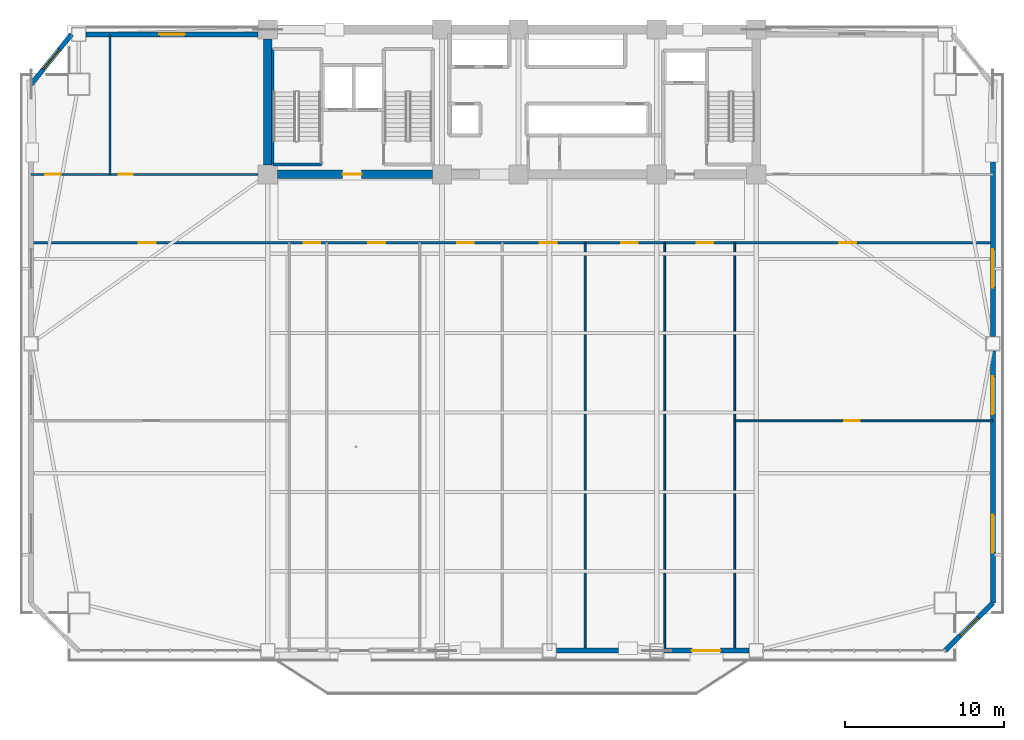
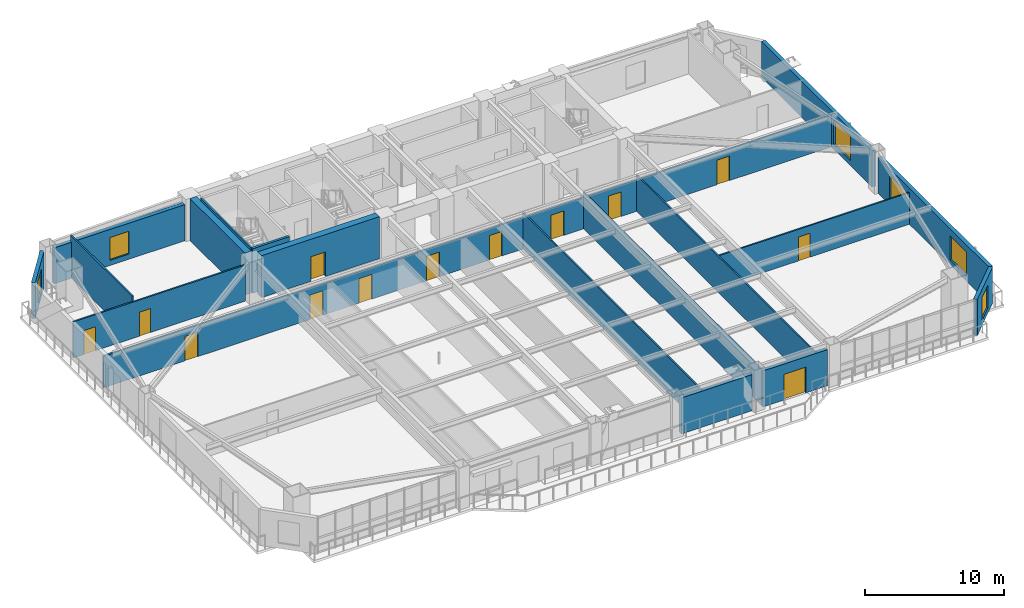
# One storey, part 8 of 15: 18 walls, 13 doors, 6 windows, 19 openings.
"""IFC4 building model written with IfcOpenShell, lengths in metres."""

import ifcopenshell
import ifcopenshell.guid

model = None  # the IFC model being written
_history = None  # IfcOwnerHistory: only IFC2X3 demands one
_inside = {}  # id of a spatial element -> (the spatial element, [elements in it])
_under = {}  # id of a project, library or spatial element -> (it, [spatial elements below it])
_declared = {}  # id of a project -> (the project, [libraries it declares])
_typed = {}  # id of a type object -> (the type object, [elements of that type])
_made_of = {}  # id of a material, layer set ... -> (it, [elements and type objects made of it])


def new_model(schema):
    """Start an empty IFC model of exactly this schema.

    Asked for "IFC4X3", IfcOpenShell would pick the latest addendum, in which some entities
    have other attributes; the version numbers below select the first issue.
    IFC2X3 requires an IfcOwnerHistory on every rooted entity: one is made here for all.
    """
    global model, _history
    if schema == "IFC4X3":
        model = ifcopenshell.file(schema_version=(4, 3, 0, 0))
    else:
        model = ifcopenshell.file(schema=schema)
    _inside.clear()
    _under.clear()
    _declared.clear()
    _typed.clear()
    _made_of.clear()
    _history = None
    if model.schema == "IFC2X3":
        org = make("IfcOrganization", Name="unknown")
        user = make(
            "IfcPersonAndOrganization",
            ThePerson=make("IfcPerson", FamilyName="unknown"),
            TheOrganization=org,
        )
        app = make(
            "IfcApplication",
            ApplicationDeveloper=org,
            Version="unknown",
            ApplicationFullName="unknown",
            ApplicationIdentifier="unknown",
        )
        _history = make(
            "IfcOwnerHistory",
            OwningUser=user,
            OwningApplication=app,
            ChangeAction="ADDED",
            CreationDate=0,
        )
    return model


def make(cls, **values):
    """One entity of the class cls with the attributes given. An attribute that is None is left unset."""
    return model.create_entity(
        cls, **{name: value for name, value in values.items() if value is not None}
    )


def rooted(cls, **values):
    """An entity with a GlobalId (a new one), such as an element, a storey or a relation."""
    return make(cls, GlobalId=ifcopenshell.guid.new(), OwnerHistory=_history, **values)


def si_unit(unit_type, name, prefix=None):
    """IfcSIUnit, for example si_unit("LENGTHUNIT", "METRE", prefix="MILLI")."""
    return make("IfcSIUnit", UnitType=unit_type, Prefix=prefix, Name=name)


def assignment(units):
    """IfcUnitAssignment: the units of a project."""
    return None if units is None else make("IfcUnitAssignment", Units=units)


def point(xyz):
    """IfcCartesianPoint."""
    return None if xyz is None else make("IfcCartesianPoint", Coordinates=xyz)


def direction(xyz):
    """IfcDirection."""
    return None if xyz is None else make("IfcDirection", DirectionRatios=xyz)


def frame(location, z_axis=None, x_axis=None):
    """IfcAxis2Placement3D, a coordinate frame: its origin and axes. An axis left out is left unset."""
    return make(
        "IfcAxis2Placement3D",
        Location=point(location),
        Axis=direction(z_axis),
        RefDirection=direction(x_axis),
    )


def frame_2d(location, x_axis=None):
    """IfcAxis2Placement2D, a coordinate frame in the plane: its origin and x axis."""
    return make(
        "IfcAxis2Placement2D", Location=point(location), RefDirection=direction(x_axis)
    )


def origin():
    """The frame at (0, 0, 0) with its axes left unset."""
    return frame((0.0, 0.0, 0.0))


def place(relative_to, where):
    """IfcLocalPlacement: puts the frame where relative to a parent placement (None: the world)."""
    return make(
        "IfcLocalPlacement", PlacementRelTo=relative_to, RelativePlacement=where
    )


def context(
    kind, dimensions, precision=None, world=None, true_north=None, identifier=None
):
    """IfcGeometricRepresentationContext, for example the 3D "Model" context."""
    return make(
        "IfcGeometricRepresentationContext",
        ContextIdentifier=identifier,
        ContextType=kind,
        CoordinateSpaceDimension=dimensions,
        Precision=precision,
        WorldCoordinateSystem=world,
        TrueNorth=true_north,
    )


def subcontext(parent, identifier, kind, view, scale=None):
    """IfcGeometricRepresentationSubContext, for example "Body" below "Model"."""
    return make(
        "IfcGeometricRepresentationSubContext",
        ContextIdentifier=identifier,
        ContextType=kind,
        ParentContext=parent,
        TargetScale=scale,
        TargetView=view,
    )


def project(units=None, contexts=None):
    """IfcProject with its units and contexts."""
    return rooted(
        "IfcProject",
        Name="project",
        RepresentationContexts=contexts,
        UnitsInContext=assignment(units),
    )


def spatial(cls, under=None, at=None, **own):
    """A site, building, storey or space (cls), placed at a placement, below another one or the project."""
    s = rooted(cls, ObjectPlacement=at, **own)
    if under is not None:
        _under.setdefault(under.id(), (under, []))[1].append(s)
    return s


def profile(cls, at=None, kind="AREA", **sizes):
    """A parametric profile (cls). Its sizes go by their IFC names, for example OverallWidth=200.0."""
    return make(cls, ProfileType=kind, Position=at, **sizes)


def rectangle(**sizes):
    """IfcRectangleProfileDef."""
    return profile("IfcRectangleProfileDef", **sizes)


def extrude(swept, where, along, depth):
    """IfcExtrudedAreaSolid: the profile swept, set in the frame where, extruded along a direction by depth."""
    return make(
        "IfcExtrudedAreaSolid",
        SweptArea=swept,
        Position=where,
        ExtrudedDirection=direction(along),
        Depth=depth,
    )


def shape(context_of_items, identifier, shape_type, items):
    """IfcShapeRepresentation: the items that make up one representation, for example the "Body"."""
    return make(
        "IfcShapeRepresentation",
        ContextOfItems=context_of_items,
        RepresentationIdentifier=identifier,
        RepresentationType=shape_type,
        Items=items,
    )


def source(mapping_origin, context_of_items, identifier, shape_type, items):
    """IfcRepresentationMap: a shape defined once, which mapped items show again and again."""
    return make(
        "IfcRepresentationMap",
        MappingOrigin=mapping_origin,
        MappedRepresentation=shape(context_of_items, identifier, shape_type, items),
    )


def transform(
    local_origin,
    x_axis=None,
    y_axis=None,
    z_axis=None,
    scale=None,
    scale2=None,
    scale3=None,
    uniform=True,
):
    """IfcCartesianTransformationOperator3D, or its non-uniform kind. x_axis, y_axis, z_axis: its Axis1, 2, 3."""
    if uniform:
        return make(
            "IfcCartesianTransformationOperator3D",
            Axis1=direction(x_axis),
            Axis2=direction(y_axis),
            LocalOrigin=point(local_origin),
            Scale=scale,
            Axis3=direction(z_axis),
        )
    return make(
        "IfcCartesianTransformationOperator3DnonUniform",
        Axis1=direction(x_axis),
        Axis2=direction(y_axis),
        LocalOrigin=point(local_origin),
        Scale=scale,
        Axis3=direction(z_axis),
        Scale2=scale2,
        Scale3=scale3,
    )


def mapped(mapping_source, mapping_target):
    """IfcMappedItem: shows the shape of a source again, moved by a transform."""
    return make(
        "IfcMappedItem", MappingSource=mapping_source, MappingTarget=mapping_target
    )


def material(Name=None, Category=None):
    """IfcMaterial."""
    return make("IfcMaterial", Name=Name, Category=Category)


def layer(
    of_material, thickness, ventilated=None, Name=None, Category=None, Priority=None
):
    """IfcMaterialLayer: one layer of a wall or slab, of a material (None: an air gap)."""
    return make(
        "IfcMaterialLayer",
        Material=of_material,
        LayerThickness=thickness,
        IsVentilated=ventilated,
        Name=Name,
        Category=Category,
        Priority=Priority,
    )


def layer_set(layers, Name=None):
    """IfcMaterialLayerSet."""
    return make("IfcMaterialLayerSet", MaterialLayers=layers, LayerSetName=Name)


def made_of(thing, what):
    """Note that an element or type object is made of a material, layer set ...; save() writes the relation."""
    if what is not None:
        _made_of.setdefault(what.id(), (what, []))[1].append(thing)
    return thing


def type_object(cls, material=None, **own):
    """A type object (cls), such as IfcWallType, which elements share."""
    return made_of(rooted(cls, **own), material)


def element(
    cls,
    number,
    at=None,
    inside=None,
    cuts=None,
    type_object=None,
    material=None,
    context=None,
    identifier="Body",
    shape_type=None,
    held_by="IfcProductDefinitionShape",
    body=None,
    shapes=None,
    **own,
):
    """One element of the class cls, such as IfcWall. Its Tag is "e" and its number.

    at: its placement. inside: the storey or other place that contains it. cuts: it is an
    opening in that element (IfcRelVoidsElement). A single representation is given by context,
    identifier, shape_type and body (its items); several are given by shapes. held_by: the class
    of the entity that holds the representations. save() writes the other relations.
    """
    e = rooted(cls, Tag="e%d" % number, ObjectPlacement=at, **own)
    if body is not None:
        shapes = [shape(context, identifier, shape_type, body)]
    if shapes is not None:
        e.Representation = make(held_by, Representations=shapes)
    if inside is not None:
        _inside.setdefault(inside.id(), (inside, []))[1].append(e)
    if cuts is not None:
        rooted(
            "IfcRelVoidsElement", RelatingBuildingElement=cuts, RelatedOpeningElement=e
        )
    if type_object is not None:
        _typed.setdefault(type_object.id(), (type_object, []))[1].append(e)
    return made_of(e, material)


def fill(opening, filler):
    """IfcRelFillsElement: the door or window that sits in an opening."""
    return rooted(
        "IfcRelFillsElement",
        RelatingOpeningElement=opening,
        RelatedBuildingElement=filler,
    )


def aggregate(whole, parts):
    """IfcRelAggregates: a whole, such as a stair, and the parts it consists of."""
    return rooted("IfcRelAggregates", RelatingObject=whole, RelatedObjects=parts)


def save(model, path):
    """Write the relations noted so far, then the file.

    IfcRelAggregates (storeys below a building ...), IfcRelContainedInSpatialStructure (elements
    in a storey), IfcRelDefinesByType, IfcRelAssociatesMaterial and IfcRelDeclares: one each for
    every whole, place, type object, material and project.
    """
    for whole, parts in _under.values():
        aggregate(whole, parts)
    for where, things in _inside.values():
        rooted(
            "IfcRelContainedInSpatialStructure",
            RelatedElements=things,
            RelatingStructure=where,
        )
    for kind, things in _typed.values():
        rooted("IfcRelDefinesByType", RelatedObjects=things, RelatingType=kind)
    for what, things in _made_of.values():
        rooted("IfcRelAssociatesMaterial", RelatedObjects=things, RelatingMaterial=what)
    for by, libraries in _declared.values():
        rooted("IfcRelDeclares", RelatingContext=by, RelatedDefinitions=libraries)
    model.write(path)


model = new_model("IFC4")

# Units and contexts
model_context = context("Model", 3, precision=1e-05, world=origin(), true_north=direction((0.0, 1.0)))
body_context = subcontext(model_context, "Body", "Model", "MODEL_VIEW")
ifc_project = project(units=[si_unit("LENGTHUNIT", "METRE"), si_unit("AREAUNIT", "SQUARE_METRE"), si_unit("VOLUMEUNIT", "CUBIC_METRE"), si_unit("PLANEANGLEUNIT", "RADIAN"), si_unit("MASSUNIT", "GRAM", prefix="KILO")], contexts=[model_context])

# Site, building, storey
site_placement = place(None, origin())
site = spatial("IfcSite", under=ifc_project, at=site_placement, CompositionType="ELEMENT")
building_placement = place(site_placement, origin())
building = spatial("IfcBuilding", under=site, at=building_placement, Name="Giltprow Tower", CompositionType="ELEMENT")
storey_placement = place(building_placement, frame((0.0, 0.0, 123.10009765625)))
storey = spatial("IfcBuildingStorey", under=building, at=storey_placement, Name="L30", CompositionType="ELEMENT", Elevation=123.10009765625)

# Wall, opening, window
ifc_material_1 = material(Name="Precast concrete C40", Category="concrete")
ifc_layer_1 = layer(ifc_material_1, 0.300048828125, Name="Precast concrete C40")
ifc_layer_set_1 = layer_set([ifc_layer_1], Name="Precast concrete C40")
wall_type_1 = type_object("IfcWallType", Name="EW-NOTCH-CHAMFER-300", PredefinedType="SOLIDWALL", material=ifc_layer_set_1)
wall_1_placement = place(storey_placement, frame((62.429931640625, 7.51806640625, 0.0), z_axis=(0.0, 0.0, 1.0), x_axis=(0.707106781187, 0.707106781187, 0.0)))
wall_1 = element("IfcWall", 1, at=wall_1_placement, inside=storey, type_object=wall_type_1, Name="L30 Corner Notch Wall SE", PredefinedType="SOLIDWALL", context=body_context, shape_type="SweptSolid", body=[
    extrude(rectangle(XDim=4.22998046875, YDim=0.300048828125, at=frame_2d((2.114990234375, 0.0))), origin(), (0.0, 0.0, 1.0), 3.159912109375),
])
opening_1_placement = place(wall_1_placement, frame((1.31494140625, 0.0, 0.449951171875)))
opening_1 = element("IfcOpeningElement", 2, at=opening_1_placement, cuts=wall_1, Name="Opening WN17", PredefinedType="OPENING", context=body_context, shape_type="SweptSolid", body=[
    extrude(rectangle(XDim=1.60009765625, YDim=2.0, at=frame_2d((0.800048828125, 1.0))), frame((0.0, 0.159912109375, 0.0), z_axis=(0.0, -1.0, 0.0), x_axis=(1.0, 0.0, 0.0)), (0.0, 0.0, 1.0), 0.320068359375),
])
ifc_material_2 = material(Name="Insulated glass", Category="glass")
window_type_1 = type_object("IfcWindowType", Name="WN-COR-1600x2000", PartitioningType="SINGLE_PANEL", PredefinedType="WINDOW", material=ifc_material_2)
shared_shape_1 = source(origin(), body_context, "Body", "SweptSolid", [
    extrude(rectangle(XDim=1.60009765625, YDim=2.0, at=frame_2d((0.800048828125, 1.0))), frame((0.0, 0.030029296875, 0.0), z_axis=(0.0, -1.0, 0.0), x_axis=(1.0, 0.0, 0.0)), (0.0, 0.0, 1.0), 0.06005859375),
])
window_1_placement = place(opening_1_placement, origin())
window_1 = element("IfcWindow", 3, at=window_1_placement, inside=storey, type_object=window_type_1, Name="L30 Corner Notch Window SE", OverallHeight=2.0, OverallWidth=1.60009765625, PartitioningType="SINGLE_PANEL", PredefinedType="WINDOW", context=body_context, shape_type="MappedRepresentation", body=[
    mapped(shared_shape_1, transform((0.0, 0.0, 0.0), x_axis=(1.0, 0.0, 0.0), y_axis=(0.0, 1.0, 0.0), z_axis=(0.0, 0.0, 1.0), scale=1.0)),
])
fill(opening_1, window_1)

wall_2_placement = place(storey_placement, frame((7.52001953125, 46.25, 0.0), z_axis=(0.0, 0.0, 1.0), x_axis=(-0.62893048879, -0.7774615362, 0.0)))
wall_2 = element("IfcWall", 4, at=wall_2_placement, inside=storey, type_object=wall_type_1, Name="L30 Corner Notch Wall NW", PredefinedType="SOLIDWALL", context=body_context, shape_type="SweptSolid", body=[
    extrude(rectangle(XDim=4.040283203125, YDim=0.300048828125, at=frame_2d((2.02001953125, 0.0))), origin(), (0.0, 0.0, 1.0), 3.159912109375),
])
opening_2_placement = place(wall_2_placement, frame((1.219970703125, 0.0, 0.449951171875)))
opening_2 = element("IfcOpeningElement", 5, at=opening_2_placement, cuts=wall_2, Name="Opening WN17", PredefinedType="OPENING", context=body_context, shape_type="SweptSolid", body=[
    extrude(rectangle(XDim=1.60009765625, YDim=2.0, at=frame_2d((0.800048828125, 1.0))), frame((0.0, 0.159912109375, 0.0), z_axis=(0.0, -1.0, 0.0), x_axis=(1.0, 0.0, 0.0)), (0.0, 0.0, 1.0), 0.320068359375),
])
window_2_placement = place(opening_2_placement, origin())
window_2 = element("IfcWindow", 6, at=window_2_placement, inside=storey, type_object=window_type_1, Name="L30 Corner Notch Window NW", OverallHeight=2.0, OverallWidth=1.60009765625, PartitioningType="SINGLE_PANEL", PredefinedType="WINDOW", context=body_context, shape_type="MappedRepresentation", body=[
    mapped(shared_shape_1, transform((0.0, 0.0, 0.0), x_axis=(1.0, 0.0, 0.0), y_axis=(0.0, 1.0, 0.0), z_axis=(0.0, 0.0, 1.0), scale=1.0)),
])
fill(opening_2, window_2)

# Wall
ifc_layer_2 = layer(ifc_material_1, 0.320068359375, Name="Precast concrete C40")
ifc_layer_set_2 = layer_set([ifc_layer_2], Name="Precast concrete C40")
wall_type_2 = type_object("IfcWallType", Name="EW-TOW-STONE-320", PredefinedType="SOLIDWALL", material=ifc_layer_set_2)
wall_3_placement = place(storey_placement, frame((38.0, 7.51806640625, 0.0), z_axis=(0.0, 0.0, 1.0), x_axis=(1.0, 0.0, 0.0)))
element("IfcWall", 7, at=wall_3_placement, inside=storey, type_object=wall_type_2, Name="L30 South Expressed Frame Wall 4", PredefinedType="SOLIDWALL", context=body_context, shape_type="SweptSolid", body=[
    extrude(rectangle(XDim=5.85009765625, YDim=0.320068359375, at=frame_2d((2.925048828125, 0.0))), origin(), (0.0, 0.0, 1.0), 3.159912109375),
])

# Wall, opening, door
wall_4_placement = place(storey_placement, frame((44.75, 7.51806640625, 0.0), z_axis=(0.0, 0.0, 1.0), x_axis=(1.0, 0.0, 0.0)))
wall_4 = element("IfcWall", 8, at=wall_4_placement, inside=storey, type_object=wall_type_2, Name="L30 South Expressed Frame Wall 5", PredefinedType="SOLIDWALL", context=body_context, shape_type="SweptSolid", body=[
    extrude(rectangle(XDim=5.35009765625, YDim=0.320068359375, at=frame_2d((2.675048828125, 0.0))), origin(), (0.0, 0.0, 1.0), 3.159912109375),
])
opening_3_placement = place(wall_4_placement, frame((1.75, 0.0, 0.0)))
opening_3 = element("IfcOpeningElement", 9, at=opening_3_placement, cuts=wall_4, Name="Opening ED25", PredefinedType="OPENING", context=body_context, shape_type="SweptSolid", body=[
    extrude(rectangle(XDim=1.800048828125, YDim=2.25, at=frame_2d((0.89990234375, 1.125))), frame((0.0, 0.169921875, 0.0), z_axis=(0.0, -1.0, 0.0), x_axis=(1.0, 0.0, 0.0)), (0.0, 0.0, 1.0), 0.340087890625),
])
ifc_material_3 = material(Name="Anodized bronze and glass", Category="glass")
door_type_1 = type_object("IfcDoorType", Name="DR-BALC-SLIDE-1800", OperationType="SLIDING_TO_LEFT", PredefinedType="DOOR", material=ifc_material_3)
shared_shape_2 = source(origin(), body_context, "Body", "SweptSolid", [
    extrude(rectangle(XDim=1.800048828125, YDim=2.25, at=frame_2d((0.89990234375, 1.125))), frame((0.0, 0.02490234375, 0.0), z_axis=(0.0, -1.0, 0.0), x_axis=(1.0, 0.0, 0.0)), (0.0, 0.0, 1.0), 0.050048828125),
])
door_1_placement = place(opening_3_placement, origin())
door_1 = element("IfcDoor", 10, at=door_1_placement, inside=storey, type_object=door_type_1, Name="L30 Waterfront Balcony Sliding Door 2", OperationType="SLIDING_TO_LEFT", OverallHeight=2.25, OverallWidth=1.800048828125, PredefinedType="DOOR", context=body_context, shape_type="MappedRepresentation", body=[
    mapped(shared_shape_2, transform((0.0, 0.0, 0.0), x_axis=(1.0, 0.0, 0.0), y_axis=(0.0, 1.0, 0.0), z_axis=(0.0, 0.0, 1.0), scale=1.0)),
])
fill(opening_3, door_1)

# Wall, openings, windows
wall_5_placement = place(storey_placement, frame((65.4208984375, 10.509033203125, 0.0), z_axis=(0.0, 0.0, 1.0), x_axis=(0.0, 1.0, 0.0)))
wall_5 = element("IfcWall", 11, at=wall_5_placement, inside=storey, type_object=wall_type_2, Name="L30 E Wing Masonry Wall 1", PredefinedType="SOLIDWALL", context=body_context, shape_type="SweptSolid", body=[
    extrude(rectangle(XDim=15.849853515625, YDim=0.320068359375, at=frame_2d((7.9248046875, 0.0))), origin(), (0.0, 0.0, 1.0), 3.159912109375),
])
opening_4_placement = place(wall_5_placement, frame((3.160888671875, 0.0, 0.449951171875)))
opening_4 = element("IfcOpeningElement", 12, at=opening_4_placement, cuts=wall_5, Name="Opening WN29", PredefinedType="OPENING", context=body_context, shape_type="SweptSolid", body=[
    extrude(rectangle(XDim=2.39990234375, YDim=2.10009765625, at=frame_2d((1.199951171875, 1.050048828125))), frame((0.0, 0.169921875, 0.0), z_axis=(0.0, -1.0, 0.0), x_axis=(1.0, 0.0, 0.0)), (0.0, 0.0, 1.0), 0.340087890625),
])
opening_5_placement = place(wall_5_placement, frame((11.85107421875, 0.0, 0.449951171875)))
opening_5 = element("IfcOpeningElement", 13, at=opening_5_placement, cuts=wall_5, Name="Opening WN29", PredefinedType="OPENING", context=body_context, shape_type="SweptSolid", body=[
    extrude(rectangle(XDim=2.39990234375, YDim=2.10009765625, at=frame_2d((1.199951171875, 1.050048828125))), frame((0.0, 0.169921875, 0.0), z_axis=(0.0, -1.0, 0.0), x_axis=(1.0, 0.0, 0.0)), (0.0, 0.0, 1.0), 0.340087890625),
])
window_type_2 = type_object("IfcWindowType", Name="WN-OFF-2400x2100", PartitioningType="DOUBLE_PANEL_VERTICAL", PredefinedType="WINDOW", material=ifc_material_2)
shared_shape_3 = source(origin(), body_context, "Body", "SweptSolid", [
    extrude(rectangle(XDim=2.39990234375, YDim=2.10009765625, at=frame_2d((1.199951171875, 1.050048828125))), frame((0.0, 0.030029296875, 0.0), z_axis=(0.0, -1.0, 0.0), x_axis=(1.0, 0.0, 0.0)), (0.0, 0.0, 1.0), 0.06005859375),
])
window_3_placement = place(opening_4_placement, origin())
window_3 = element("IfcWindow", 14, at=window_3_placement, inside=storey, type_object=window_type_2, Name="L30 E Wing Window 1-1A", OverallHeight=2.10009765625, OverallWidth=2.39990234375, PartitioningType="SINGLE_PANEL", PredefinedType="WINDOW", context=body_context, shape_type="MappedRepresentation", body=[
    mapped(shared_shape_3, transform((0.0, 0.0, 0.0), x_axis=(1.0, 0.0, 0.0), y_axis=(0.0, 1.0, 0.0), z_axis=(0.0, 0.0, 1.0), scale=1.0)),
])
fill(opening_4, window_3)
window_4_placement = place(opening_5_placement, origin())
window_4 = element("IfcWindow", 15, at=window_4_placement, inside=storey, type_object=window_type_2, Name="L30 E Wing Window 1-1B", OverallHeight=2.10009765625, OverallWidth=2.39990234375, PartitioningType="SINGLE_PANEL", PredefinedType="WINDOW", context=body_context, shape_type="MappedRepresentation", body=[
    mapped(shared_shape_3, transform((0.0, 0.0, 0.0), x_axis=(1.0, 0.0, 0.0), y_axis=(0.0, 1.0, 0.0), z_axis=(0.0, 0.0, 1.0), scale=1.0)),
])
fill(opening_5, window_4)

# Wall, opening, window
wall_6_placement = place(storey_placement, frame((65.4208984375, 27.259033203125, 0.0), z_axis=(0.0, 0.0, 1.0), x_axis=(0.0, 1.0, 0.0)))
wall_6 = element("IfcWall", 16, at=wall_6_placement, inside=storey, type_object=wall_type_2, Name="L30 E Wing Masonry Wall 2", PredefinedType="SOLIDWALL", context=body_context, shape_type="SweptSolid", body=[
    extrude(rectangle(XDim=15.849853515625, YDim=0.320068359375, at=frame_2d((7.9248046875, 0.0))), origin(), (0.0, 0.0, 1.0), 3.159912109375),
])
opening_6_placement = place(wall_6_placement, frame((3.075927734375, 0.0, 0.449951171875)))
opening_6 = element("IfcOpeningElement", 17, at=opening_6_placement, cuts=wall_6, Name="Opening WN29", PredefinedType="OPENING", context=body_context, shape_type="SweptSolid", body=[
    extrude(rectangle(XDim=2.39990234375, YDim=2.10009765625, at=frame_2d((1.199951171875, 1.050048828125))), frame((0.0, 0.169921875, 0.0), z_axis=(0.0, -1.0, 0.0), x_axis=(1.0, 0.0, 0.0)), (0.0, 0.0, 1.0), 0.340087890625),
])
window_5_placement = place(opening_6_placement, origin())
window_5 = element("IfcWindow", 18, at=window_5_placement, inside=storey, type_object=window_type_2, Name="L30 E Wing Window 2-1", OverallHeight=2.10009765625, OverallWidth=2.39990234375, PartitioningType="SINGLE_PANEL", PredefinedType="WINDOW", context=body_context, shape_type="MappedRepresentation", body=[
    mapped(shared_shape_3, transform((0.0, 0.0, 0.0), x_axis=(1.0, 0.0, 0.0), y_axis=(0.0, 1.0, 0.0), z_axis=(0.0, 0.0, 1.0), scale=1.0)),
])
fill(opening_6, window_5)

wall_7_placement = place(storey_placement, frame((8.419921875, 46.25, 0.0), z_axis=(0.0, 0.0, 1.0), x_axis=(1.0, 0.0, 0.0)))
wall_7 = element("IfcWall", 19, at=wall_7_placement, inside=storey, type_object=wall_type_2, Name="L30 North-West Wing Wall", PredefinedType="SOLIDWALL", context=body_context, shape_type="SweptSolid", body=[
    extrude(rectangle(XDim=10.830078125, YDim=0.320068359375, at=frame_2d((5.4150390625, 0.0))), origin(), (0.0, 0.0, 1.0), 3.159912109375),
])
opening_7_placement = place(wall_7_placement, frame((4.614990234375, 0.0, 0.449951171875)))
opening_7 = element("IfcOpeningElement", 20, at=opening_7_placement, cuts=wall_7, Name="Opening WN17", PredefinedType="OPENING", context=body_context, shape_type="SweptSolid", body=[
    extrude(rectangle(XDim=1.60009765625, YDim=2.0, at=frame_2d((0.800048828125, 1.0))), frame((0.0, 0.169921875, 0.0), z_axis=(0.0, -1.0, 0.0), x_axis=(1.0, 0.0, 0.0)), (0.0, 0.0, 1.0), 0.340087890625),
])
window_6_placement = place(opening_7_placement, origin())
window_6 = element("IfcWindow", 21, at=window_6_placement, inside=storey, type_object=window_type_1, Name="L30 North-West Window", OverallHeight=2.0, OverallWidth=1.60009765625, PartitioningType="SINGLE_PANEL", PredefinedType="WINDOW", context=body_context, shape_type="MappedRepresentation", body=[
    mapped(shared_shape_1, transform((0.0, 0.0, 0.0), x_axis=(1.0, 0.0, 0.0), y_axis=(0.0, 1.0, 0.0), z_axis=(0.0, 0.0, 1.0), scale=1.0)),
])
fill(opening_7, window_6)

# Wall, openings, doors
ifc_material_4 = material(Name="Gypsum stud partition", Category="gypsum")
ifc_layer_3 = layer(ifc_material_4, 0.14990234375, Name="Gypsum stud partition")
ifc_layer_set_3 = layer_set([ifc_layer_3], Name="Gypsum stud partition")
wall_type_3 = type_object("IfcWallType", Name="IW-CORR-150", PredefinedType="PARTITIONING", material=ifc_layer_set_3)
wall_8_placement = place(storey_placement, frame((4.97900390625, 33.14990234375, 0.0), z_axis=(0.0, 0.0, 1.0), x_axis=(1.0, 0.0, 0.0)))
wall_8 = element("IfcWall", 22, at=wall_8_placement, inside=storey, type_object=wall_type_3, Name="L30 Office Loop Corridor Wall", PredefinedType="PARTITIONING", context=body_context, shape_type="SweptSolid", body=[
    extrude(rectangle(XDim=60.44189453125, YDim=0.14990234375, at=frame_2d((30.220947265625, 0.0))), origin(), (0.0, 0.0, 1.0), 2.764892578125),
])
opening_8_placement = place(wall_8_placement, frame((6.77392578125, 0.0, 0.0)))
opening_8 = element("IfcOpeningElement", 23, at=opening_8_placement, cuts=wall_8, Name="Opening ID31", PredefinedType="OPENING", context=body_context, shape_type="SweptSolid", body=[
    extrude(rectangle(XDim=1.050048828125, YDim=2.14990234375, at=frame_2d((0.52490234375, 1.074951171875))), frame((0.0, 0.0849609375, 0.0), z_axis=(0.0, -1.0, 0.0), x_axis=(1.0, 0.0, 0.0)), (0.0, 0.0, 1.0), 0.169921875),
])
opening_9_placement = place(wall_8_placement, frame((17.131103515625, 0.0, 0.0)))
opening_9 = element("IfcOpeningElement", 24, at=opening_9_placement, cuts=wall_8, Name="Opening ID31", PredefinedType="OPENING", context=body_context, shape_type="SweptSolid", body=[
    extrude(rectangle(XDim=1.050048828125, YDim=2.14990234375, at=frame_2d((0.52490234375, 1.074951171875))), frame((0.0, 0.0849609375, 0.0), z_axis=(0.0, -1.0, 0.0), x_axis=(1.0, 0.0, 0.0)), (0.0, 0.0, 1.0), 0.169921875),
])
opening_10_placement = place(wall_8_placement, frame((21.19091796875, 0.0, 0.0)))
opening_10 = element("IfcOpeningElement", 25, at=opening_10_placement, cuts=wall_8, Name="Opening ID31", PredefinedType="OPENING", context=body_context, shape_type="SweptSolid", body=[
    extrude(rectangle(XDim=1.050048828125, YDim=2.14990234375, at=frame_2d((0.52490234375, 1.074951171875))), frame((0.0, 0.0849609375, 0.0), z_axis=(0.0, -1.0, 0.0), x_axis=(1.0, 0.0, 0.0)), (0.0, 0.0, 1.0), 0.169921875),
])
opening_11_placement = place(wall_8_placement, frame((26.76806640625, 0.0, 0.0)))
opening_11 = element("IfcOpeningElement", 26, at=opening_11_placement, cuts=wall_8, Name="Opening ID31", PredefinedType="OPENING", context=body_context, shape_type="SweptSolid", body=[
    extrude(rectangle(XDim=1.050048828125, YDim=2.14990234375, at=frame_2d((0.52490234375, 1.074951171875))), frame((0.0, 0.0849609375, 0.0), z_axis=(0.0, -1.0, 0.0), x_axis=(1.0, 0.0, 0.0)), (0.0, 0.0, 1.0), 0.169921875),
])
opening_12_placement = place(wall_8_placement, frame((31.968017578125, 0.0, 0.0)))
opening_12 = element("IfcOpeningElement", 27, at=opening_12_placement, cuts=wall_8, Name="Opening ID31", PredefinedType="OPENING", context=body_context, shape_type="SweptSolid", body=[
    extrude(rectangle(XDim=1.050048828125, YDim=2.14990234375, at=frame_2d((0.52490234375, 1.074951171875))), frame((0.0, 0.0849609375, 0.0), z_axis=(0.0, -1.0, 0.0), x_axis=(1.0, 0.0, 0.0)), (0.0, 0.0, 1.0), 0.169921875),
])
opening_13_placement = place(wall_8_placement, frame((37.083984375, 0.0, 0.0)))
opening_13 = element("IfcOpeningElement", 28, at=opening_13_placement, cuts=wall_8, Name="Opening ID31", PredefinedType="OPENING", context=body_context, shape_type="SweptSolid", body=[
    extrude(rectangle(XDim=1.050048828125, YDim=2.14990234375, at=frame_2d((0.52490234375, 1.074951171875))), frame((0.0, 0.0849609375, 0.0), z_axis=(0.0, -1.0, 0.0), x_axis=(1.0, 0.0, 0.0)), (0.0, 0.0, 1.0), 0.169921875),
])
opening_14_placement = place(wall_8_placement, frame((41.83203125, 0.0, 0.0)))
opening_14 = element("IfcOpeningElement", 29, at=opening_14_placement, cuts=wall_8, Name="Opening ID31", PredefinedType="OPENING", context=body_context, shape_type="SweptSolid", body=[
    extrude(rectangle(XDim=1.050048828125, YDim=2.14990234375, at=frame_2d((0.52490234375, 1.074951171875))), frame((0.0, 0.0849609375, 0.0), z_axis=(0.0, -1.0, 0.0), x_axis=(1.0, 0.0, 0.0)), (0.0, 0.0, 1.0), 0.169921875),
])
opening_15_placement = place(wall_8_placement, frame((50.794921875, 0.0, 0.0)))
opening_15 = element("IfcOpeningElement", 30, at=opening_15_placement, cuts=wall_8, Name="Opening ID31", PredefinedType="OPENING", context=body_context, shape_type="SweptSolid", body=[
    extrude(rectangle(XDim=1.050048828125, YDim=2.14990234375, at=frame_2d((0.52490234375, 1.074951171875))), frame((0.0, 0.0849609375, 0.0), z_axis=(0.0, -1.0, 0.0), x_axis=(1.0, 0.0, 0.0)), (0.0, 0.0, 1.0), 0.169921875),
])
ifc_material_5 = material(Name="Engineered timber", Category="wood")
door_type_2 = type_object("IfcDoorType", Name="DR-SUITE-1050", OperationType="SINGLE_SWING_LEFT", PredefinedType="DOOR", material=ifc_material_5)
shared_shape_4 = source(origin(), body_context, "Body", "SweptSolid", [
    extrude(rectangle(XDim=1.050048828125, YDim=2.14990234375, at=frame_2d((0.52490234375, 1.074951171875))), frame((0.0, 0.02490234375, 0.0), z_axis=(0.0, -1.0, 0.0), x_axis=(1.0, 0.0, 0.0)), (0.0, 0.0, 1.0), 0.050048828125),
])
door_2_placement = place(opening_8_placement, origin())
door_2 = element("IfcDoor", 31, at=door_2_placement, inside=storey, type_object=door_type_2, Name="L30 Suite Reception Foyer Door", OperationType="SINGLE_SWING_RIGHT", OverallHeight=2.14990234375, OverallWidth=1.050048828125, PredefinedType="DOOR", context=body_context, shape_type="MappedRepresentation", body=[
    mapped(shared_shape_4, transform((0.0, 0.0, 0.0), x_axis=(1.0, 0.0, 0.0), y_axis=(0.0, 1.0, 0.0), z_axis=(0.0, 0.0, 1.0), scale=1.0)),
])
fill(opening_8, door_2)
door_3_placement = place(opening_9_placement, origin())
door_3 = element("IfcDoor", 32, at=door_3_placement, inside=storey, type_object=door_type_2, Name="L30 Bookstore Shop 2 Door", OperationType="SINGLE_SWING_RIGHT", OverallHeight=2.14990234375, OverallWidth=1.050048828125, PredefinedType="DOOR", context=body_context, shape_type="MappedRepresentation", body=[
    mapped(shared_shape_4, transform((0.0, 0.0, 0.0), x_axis=(1.0, 0.0, 0.0), y_axis=(0.0, 1.0, 0.0), z_axis=(0.0, 0.0, 1.0), scale=1.0)),
])
fill(opening_9, door_3)
door_4_placement = place(opening_10_placement, origin())
door_4 = element("IfcDoor", 33, at=door_4_placement, inside=storey, type_object=door_type_2, Name="L30 Ceramics Shop 3 Door", OperationType="SINGLE_SWING_LEFT", OverallHeight=2.14990234375, OverallWidth=1.050048828125, PredefinedType="DOOR", context=body_context, shape_type="MappedRepresentation", body=[
    mapped(shared_shape_4, transform((0.0, 0.0, 0.0), x_axis=(1.0, 0.0, 0.0), y_axis=(0.0, 1.0, 0.0), z_axis=(0.0, 0.0, 1.0), scale=1.0)),
])
fill(opening_10, door_4)
door_5_placement = place(opening_11_placement, origin())
door_5 = element("IfcDoor", 34, at=door_5_placement, inside=storey, type_object=door_type_2, Name="L30 Antiques Shop 4 Door", OperationType="SINGLE_SWING_RIGHT", OverallHeight=2.14990234375, OverallWidth=1.050048828125, PredefinedType="DOOR", context=body_context, shape_type="MappedRepresentation", body=[
    mapped(shared_shape_4, transform((0.0, 0.0, 0.0), x_axis=(1.0, 0.0, 0.0), y_axis=(0.0, 1.0, 0.0), z_axis=(0.0, 0.0, 1.0), scale=1.0)),
])
fill(opening_11, door_5)
door_6_placement = place(opening_12_placement, origin())
door_6 = element("IfcDoor", 35, at=door_6_placement, inside=storey, type_object=door_type_2, Name="L30 Consular Meeting Room 1 Door", OperationType="SINGLE_SWING_LEFT", OverallHeight=2.14990234375, OverallWidth=1.050048828125, PredefinedType="DOOR", context=body_context, shape_type="MappedRepresentation", body=[
    mapped(shared_shape_4, transform((0.0, 0.0, 0.0), x_axis=(1.0, 0.0, 0.0), y_axis=(0.0, 1.0, 0.0), z_axis=(0.0, 0.0, 1.0), scale=1.0)),
])
fill(opening_12, door_6)
door_7_placement = place(opening_13_placement, origin())
door_7 = element("IfcDoor", 36, at=door_7_placement, inside=storey, type_object=door_type_2, Name="L30 Treaty Meeting Room 2 Door", OperationType="SINGLE_SWING_RIGHT", OverallHeight=2.14990234375, OverallWidth=1.050048828125, PredefinedType="DOOR", context=body_context, shape_type="MappedRepresentation", body=[
    mapped(shared_shape_4, transform((0.0, 0.0, 0.0), x_axis=(1.0, 0.0, 0.0), y_axis=(0.0, 1.0, 0.0), z_axis=(0.0, 0.0, 1.0), scale=1.0)),
])
fill(opening_13, door_7)
door_8_placement = place(opening_14_placement, origin())
door_8 = element("IfcDoor", 37, at=door_8_placement, inside=storey, type_object=door_type_2, Name="L30 Press Meeting Room 3 Door", OperationType="SINGLE_SWING_LEFT", OverallHeight=2.14990234375, OverallWidth=1.050048828125, PredefinedType="DOOR", context=body_context, shape_type="MappedRepresentation", body=[
    mapped(shared_shape_4, transform((0.0, 0.0, 0.0), x_axis=(1.0, 0.0, 0.0), y_axis=(0.0, 1.0, 0.0), z_axis=(0.0, 0.0, 1.0), scale=1.0)),
])
fill(opening_14, door_8)
door_9_placement = place(opening_15_placement, origin())
door_9 = element("IfcDoor", 38, at=door_9_placement, inside=storey, type_object=door_type_2, Name="L30 Suite Reception Foyer Door", OperationType="SINGLE_SWING_RIGHT", OverallHeight=2.14990234375, OverallWidth=1.050048828125, PredefinedType="DOOR", context=body_context, shape_type="MappedRepresentation", body=[
    mapped(shared_shape_4, transform((0.0, 0.0, 0.0), x_axis=(1.0, 0.0, 0.0), y_axis=(0.0, 1.0, 0.0), z_axis=(0.0, 0.0, 1.0), scale=1.0)),
])
fill(opening_15, door_9)

# Walls
ifc_layer_4 = layer(ifc_material_4, 0.1201171875, Name="Gypsum stud partition")
ifc_layer_set_4 = layer_set([ifc_layer_4], Name="Gypsum stud partition")
wall_type_4 = type_object("IfcWallType", Name="IW-ROOM-120", PredefinedType="PARTITIONING", material=ifc_layer_set_4)
for number, where, z_axis, x_axis, name in (
    (39, (39.800048828125, 7.51806640625, 0.0), (0.0, 0.0, 1.0), (0.0, 1.0, 0.0), "L30 Office Partition 5"),
    (40, (44.800048828125, 7.51806640625, 0.0), (0.0, 0.0, 1.0), (0.0, 1.0, 0.0), "L30 Office Partition 6"),
    (41, (49.199951171875, 7.51806640625, 0.0), (0.0, 0.0, 1.0), (0.0, 1.0, 0.0), "L30 Office Partition 7"),
):
    element("IfcWall", number, at=place(storey_placement, frame(where, z_axis=z_axis, x_axis=x_axis)), inside=storey, type_object=wall_type_4, Name=name, PredefinedType="PARTITIONING", context=body_context, shape_type="SweptSolid", body=[
        extrude(rectangle(XDim=25.6318359375, YDim=0.1201171875, at=frame_2d((12.81591796875, 0.0))), origin(), (0.0, 0.0, 1.0), 3.164794921875),
    ])

# Wall, opening, door
wall_9_placement = place(storey_placement, frame((49.199951171875, 21.9599609375, 0.0), z_axis=(0.0, 0.0, 1.0), x_axis=(1.0, 0.0, 0.0)))
wall_9 = element("IfcWall", 42, at=wall_9_placement, inside=storey, type_object=wall_type_4, Name="L30 Office Mid Wall 8", PredefinedType="PARTITIONING", context=body_context, shape_type="SweptSolid", body=[
    extrude(rectangle(XDim=16.220947265625, YDim=0.1201171875, at=frame_2d((8.1103515625, 0.0))), origin(), (0.0, 0.0, 1.0), 2.764892578125),
])
opening_16_placement = place(wall_9_placement, frame((6.89208984375, 0.0, 0.0)))
opening_16 = element("IfcOpeningElement", 43, at=opening_16_placement, cuts=wall_9, Name="Opening ID11", PredefinedType="OPENING", context=body_context, shape_type="SweptSolid", body=[
    extrude(rectangle(XDim=0.949951171875, YDim=2.10009765625, at=frame_2d((0.47509765625, 1.050048828125))), frame((0.0, 0.070068359375, 0.0), z_axis=(0.0, -1.0, 0.0), x_axis=(1.0, 0.0, 0.0)), (0.0, 0.0, 1.0), 0.14013671875),
])
door_type_3 = type_object("IfcDoorType", Name="DR-ROOM-950", OperationType="SINGLE_SWING_RIGHT", PredefinedType="DOOR", material=ifc_material_5)
shared_shape_5 = source(origin(), body_context, "Body", "SweptSolid", [
    extrude(rectangle(XDim=0.949951171875, YDim=2.10009765625, at=frame_2d((0.47509765625, 1.050048828125))), frame((0.0, 0.02490234375, 0.0), z_axis=(0.0, -1.0, 0.0), x_axis=(1.0, 0.0, 0.0)), (0.0, 0.0, 1.0), 0.050048828125),
])
door_10_placement = place(opening_16_placement, origin())
door_10 = element("IfcDoor", 44, at=door_10_placement, inside=storey, type_object=door_type_3, Name="L30 Summit Meeting Room 4 Inner Door", OperationType="SINGLE_SWING_LEFT", OverallHeight=2.10009765625, OverallWidth=0.949951171875, PredefinedType="DOOR", context=body_context, shape_type="MappedRepresentation", body=[
    mapped(shared_shape_5, transform((0.0, 0.0, 0.0), x_axis=(1.0, 0.0, 0.0), y_axis=(0.0, 1.0, 0.0), z_axis=(0.0, 0.0, 1.0), scale=1.0)),
])
fill(opening_16, door_10)

# Walls
ifc_material_6 = material(Name="Concrete C45", Category="concrete")
ifc_layer_5 = layer(ifc_material_6, 0.139892578125, Name="Concrete C45")
ifc_layer_set_5 = layer_set([ifc_layer_5], Name="Concrete C45")
wall_type_5 = type_object("IfcWallType", Name="IW-STAIR-140", PredefinedType="SOLIDWALL", material=ifc_layer_set_5)
wall_10_placement = place(storey_placement, frame((20.169921875, 38.070068359375, 0.0), z_axis=(0.0, 0.0, 1.0), x_axis=(0.0, 1.0, 0.0)))
element("IfcWall", 45, at=wall_10_placement, inside=storey, type_object=wall_type_5, Name="L30 Stair ST-1 West Bearing Wall", PredefinedType="SOLIDWALL", context=body_context, shape_type="SweptSolid", body=[
    extrude(rectangle(XDim=7.25, YDim=0.139892578125, at=frame_2d((3.625, 0.0))), origin(), (0.0, 0.0, 1.0), 3.89990234375),
])
ifc_material_7 = material(Name="Concrete C40", Category="concrete")
ifc_layer_6 = layer(ifc_material_7, 0.199951171875, Name="Concrete C40")
ifc_layer_set_6 = layer_set([ifc_layer_6], Name="Concrete C40")
wall_type_6 = type_object("IfcWallType", Name="IW-STAIR-200", PredefinedType="SOLIDWALL", material=ifc_layer_set_6)
wall_11_placement = place(storey_placement, frame((20.169921875, 38.070068359375, 0.0), z_axis=(0.0, 0.0, 1.0), x_axis=(1.0, 0.0, 0.0)))
element("IfcWall", 46, at=wall_11_placement, inside=storey, type_object=wall_type_6, Name="L30 Stair ST-1 South Bearing Wall", PredefinedType="SOLIDWALL", context=body_context, shape_type="SweptSolid", body=[
    extrude(rectangle(XDim=3.050048828125, YDim=0.199951171875, at=frame_2d((1.52490234375, 0.0))), origin(), (0.0, 0.0, 1.0), 3.89990234375),
])

# Wall, openings, doors
ifc_material_8 = material(Name="Concrete C30", Category="concrete")
ifc_layer_7 = layer(ifc_material_8, 0.1298828125, Name="Concrete C30")
ifc_layer_set_7 = layer_set([ifc_layer_7], Name="Concrete C30")
wall_type_7 = type_object("IfcWallType", Name="IW-WET-130", PredefinedType="PARTITIONING", material=ifc_layer_set_7)
wall_12_placement = place(storey_placement, frame((4.97900390625, 37.449951171875, 0.0), z_axis=(0.0, 0.0, 1.0), x_axis=(1.0, 0.0, 0.0)))
wall_12 = element("IfcWall", 47, at=wall_12_placement, inside=storey, type_object=wall_type_7, Name="L30 NW Wing South Wall", PredefinedType="PARTITIONING", context=body_context, shape_type="SweptSolid", body=[
    extrude(rectangle(XDim=14.27099609375, YDim=0.1298828125, at=frame_2d((7.135498046875, 0.0))), origin(), (0.0, 0.0, 1.0), 3.164794921875),
])
opening_17_placement = place(wall_12_placement, frame((0.89990234375, 0.0, 0.0)))
opening_17 = element("IfcOpeningElement", 48, at=opening_17_placement, cuts=wall_12, Name="Opening ID11", PredefinedType="OPENING", context=body_context, shape_type="SweptSolid", body=[
    extrude(rectangle(XDim=0.949951171875, YDim=2.10009765625, at=frame_2d((0.47509765625, 1.050048828125))), frame((0.0, 0.074951171875, 0.0), z_axis=(0.0, -1.0, 0.0), x_axis=(1.0, 0.0, 0.0)), (0.0, 0.0, 1.0), 0.14990234375),
])
opening_18_placement = place(wall_12_placement, frame((5.5, 0.0, 0.0)))
opening_18 = element("IfcOpeningElement", 49, at=opening_18_placement, cuts=wall_12, Name="Opening ID15", PredefinedType="OPENING", context=body_context, shape_type="SweptSolid", body=[
    extrude(rectangle(XDim=0.89990234375, YDim=2.10009765625, at=frame_2d((0.449951171875, 1.050048828125))), frame((0.0, 0.074951171875, 0.0), z_axis=(0.0, -1.0, 0.0), x_axis=(1.0, 0.0, 0.0)), (0.0, 0.0, 1.0), 0.14990234375),
])
door_type_4 = type_object("IfcDoorType", Name="DR-WC-900", OperationType="SINGLE_SWING_LEFT", PredefinedType="DOOR", material=ifc_material_5)
shared_shape_6 = source(origin(), body_context, "Body", "SweptSolid", [
    extrude(rectangle(XDim=0.89990234375, YDim=2.10009765625, at=frame_2d((0.449951171875, 1.050048828125))), frame((0.0, 0.02490234375, 0.0), z_axis=(0.0, -1.0, 0.0), x_axis=(1.0, 0.0, 0.0)), (0.0, 0.0, 1.0), 0.050048828125),
])
door_11_placement = place(opening_18_placement, origin())
door_11 = element("IfcDoor", 50, at=door_11_placement, inside=storey, type_object=door_type_4, Name="L30 NW Washroom Door", OperationType="SINGLE_SWING_LEFT", OverallHeight=2.10009765625, OverallWidth=0.89990234375, PredefinedType="DOOR", context=body_context, shape_type="MappedRepresentation", body=[
    mapped(shared_shape_6, transform((0.0, 0.0, 0.0), x_axis=(1.0, 0.0, 0.0), y_axis=(0.0, 1.0, 0.0), z_axis=(0.0, 0.0, 1.0), scale=1.0)),
])
fill(opening_18, door_11)
door_12_placement = place(opening_17_placement, origin())
door_12 = element("IfcDoor", 51, at=door_12_placement, inside=storey, type_object=door_type_3, Name="L30 West Tenant Office West Door", OperationType="SINGLE_SWING_RIGHT", OverallHeight=2.10009765625, OverallWidth=0.949951171875, PredefinedType="DOOR", context=body_context, shape_type="MappedRepresentation", body=[
    mapped(shared_shape_5, transform((0.0, 0.0, 0.0), x_axis=(1.0, 0.0, 0.0), y_axis=(0.0, 1.0, 0.0), z_axis=(0.0, 0.0, 1.0), scale=1.0)),
])
fill(opening_17, door_12)

# Wall
wall_13_placement = place(storey_placement, frame((9.928955078125, 37.449951171875, 0.0), z_axis=(0.0, 0.0, 1.0), x_axis=(0.0, 1.0, 0.0)))
element("IfcWall", 52, at=wall_13_placement, inside=storey, type_object=wall_type_7, Name="L30 NW Wing Divider", PredefinedType="PARTITIONING", context=body_context, shape_type="SweptSolid", body=[
    extrude(rectangle(XDim=8.800048828125, YDim=0.1298828125, at=frame_2d((4.39990234375, 0.0))), origin(), (0.0, 0.0, 1.0), 3.679931640625),
])

# Wall, opening, door
ifc_material_9 = material(Name="Concrete C60", Category="concrete")
ifc_layer_8 = layer(ifc_material_9, 0.550048828125, Name="Concrete C60")
ifc_layer_set_8 = layer_set([ifc_layer_8], Name="Concrete C60")
wall_type_8 = type_object("IfcWallType", Name="SW-INT-550-C60", PredefinedType="SHEAR", material=ifc_layer_set_8)
wall_14_placement = place(storey_placement, frame((20.449951171875, 37.449951171875, 0.0), z_axis=(0.0, 0.0, 1.0), x_axis=(1.0, 0.0, 0.0)))
wall_14 = element("IfcWall", 53, at=wall_14_placement, inside=storey, type_object=wall_type_8, Name="L30 South Rear Core Shear Wall West", PredefinedType="SHEAR", context=body_context, shape_type="SweptSolid", body=[
    extrude(rectangle(XDim=9.75, YDim=0.550048828125, at=frame_2d((4.875, 0.0))), origin(), (0.0, 0.0, 1.0), 3.679931640625),
])
opening_19_placement = place(wall_14_placement, frame((4.10009765625, 0.0, 0.0)))
opening_19 = element("IfcOpeningElement", 54, at=opening_19_placement, cuts=wall_14, Name="Opening ID19", PredefinedType="OPENING", context=body_context, shape_type="SweptSolid", body=[
    extrude(rectangle(XDim=1.199951171875, YDim=2.14990234375, at=frame_2d((0.60009765625, 1.074951171875))), frame((0.0, 0.284912109375, 0.0), z_axis=(0.0, -1.0, 0.0), x_axis=(1.0, 0.0, 0.0)), (0.0, 0.0, 1.0), 0.570068359375),
])
ifc_material_10 = material(Name="Steel fire leaf", Category="steel")
door_type_5 = type_object("IfcDoorType", Name="DR-FFLOBBY-1200", OperationType="SINGLE_SWING_RIGHT", PredefinedType="DOOR", material=ifc_material_10)
shared_shape_7 = source(origin(), body_context, "Body", "SweptSolid", [
    extrude(rectangle(XDim=1.199951171875, YDim=2.14990234375, at=frame_2d((0.60009765625, 1.074951171875))), frame((0.0, 0.02490234375, 0.0), z_axis=(0.0, -1.0, 0.0), x_axis=(1.0, 0.0, 0.0)), (0.0, 0.0, 1.0), 0.050048828125),
])
door_13_placement = place(opening_19_placement, origin())
door_13 = element("IfcDoor", 55, at=door_13_placement, inside=storey, type_object=door_type_5, Name="L30 West Firefighting Lobby Entry Door", OperationType="SINGLE_SWING_RIGHT", OverallHeight=2.14990234375, OverallWidth=1.199951171875, PredefinedType="DOOR", context=body_context, shape_type="MappedRepresentation", body=[
    mapped(shared_shape_7, transform((0.0, 0.0, 0.0), x_axis=(1.0, 0.0, 0.0), y_axis=(0.0, 1.0, 0.0), z_axis=(0.0, 0.0, 1.0), scale=1.0)),
])
fill(opening_19, door_13)

# Wall
wall_15_placement = place(storey_placement, frame((19.85009765625, 38.050048828125, 0.0), z_axis=(0.0, 0.0, 1.0), x_axis=(0.0, 1.0, 0.0)))
element("IfcWall", 56, at=wall_15_placement, inside=storey, type_object=wall_type_8, Name="L30 W Rear Core Shear Wall", PredefinedType="SHEAR", context=body_context, shape_type="SweptSolid", body=[
    extrude(rectangle(XDim=7.89990234375, YDim=0.550048828125, at=frame_2d((3.949951171875, 0.0))), origin(), (0.0, 0.0, 1.0), 3.679931640625),
])

save(model, "model.ifc")
